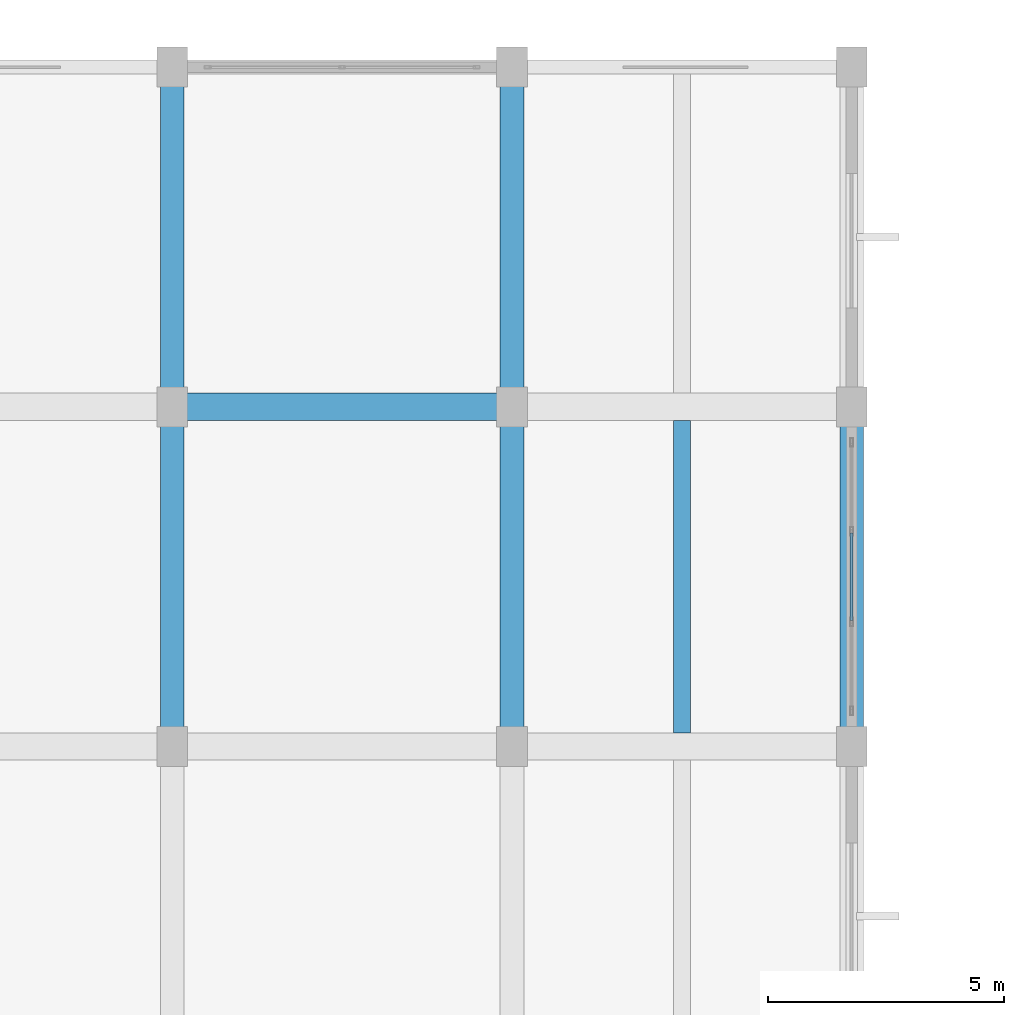
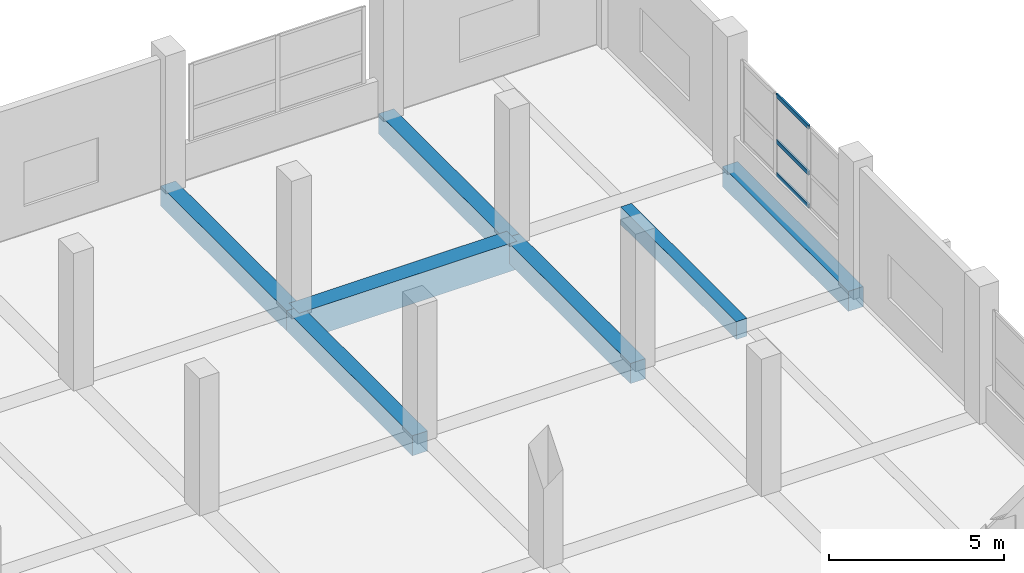
# One storey, part 140 of 181: 7 beams, 3 members, 1 element without a shape of its own.
"""IFC4 building model written with IfcOpenShell, lengths in metres."""

import ifcopenshell
import ifcopenshell.guid

model = None  # the IFC model being written
_history = None  # IfcOwnerHistory: only IFC2X3 demands one
_inside = {}  # id of a spatial element -> (the spatial element, [elements in it])
_under = {}  # id of a project, library or spatial element -> (it, [spatial elements below it])
_declared = {}  # id of a project -> (the project, [libraries it declares])
_typed = {}  # id of a type object -> (the type object, [elements of that type])
_made_of = {}  # id of a material, layer set ... -> (it, [elements and type objects made of it])


def new_model(schema):
    """Start an empty IFC model of exactly this schema.

    Asked for "IFC4X3", IfcOpenShell would pick the latest addendum, in which some entities
    have other attributes; the version numbers below select the first issue.
    IFC2X3 requires an IfcOwnerHistory on every rooted entity: one is made here for all.
    """
    global model, _history
    if schema == "IFC4X3":
        model = ifcopenshell.file(schema_version=(4, 3, 0, 0))
    else:
        model = ifcopenshell.file(schema=schema)
    _inside.clear()
    _under.clear()
    _declared.clear()
    _typed.clear()
    _made_of.clear()
    _history = None
    if model.schema == "IFC2X3":
        org = make("IfcOrganization", Name="unknown")
        user = make(
            "IfcPersonAndOrganization",
            ThePerson=make("IfcPerson", FamilyName="unknown"),
            TheOrganization=org,
        )
        app = make(
            "IfcApplication",
            ApplicationDeveloper=org,
            Version="unknown",
            ApplicationFullName="unknown",
            ApplicationIdentifier="unknown",
        )
        _history = make(
            "IfcOwnerHistory",
            OwningUser=user,
            OwningApplication=app,
            ChangeAction="ADDED",
            CreationDate=0,
        )
    return model


def make(cls, **values):
    """One entity of the class cls with the attributes given. An attribute that is None is left unset."""
    return model.create_entity(
        cls, **{name: value for name, value in values.items() if value is not None}
    )


def rooted(cls, **values):
    """An entity with a GlobalId (a new one), such as an element, a storey or a relation."""
    return make(cls, GlobalId=ifcopenshell.guid.new(), OwnerHistory=_history, **values)


def si_unit(unit_type, name, prefix=None):
    """IfcSIUnit, for example si_unit("LENGTHUNIT", "METRE", prefix="MILLI")."""
    return make("IfcSIUnit", UnitType=unit_type, Prefix=prefix, Name=name)


def assignment(units):
    """IfcUnitAssignment: the units of a project."""
    return None if units is None else make("IfcUnitAssignment", Units=units)


def point(xyz):
    """IfcCartesianPoint."""
    return None if xyz is None else make("IfcCartesianPoint", Coordinates=xyz)


def direction(xyz):
    """IfcDirection."""
    return None if xyz is None else make("IfcDirection", DirectionRatios=xyz)


def frame(location, z_axis=None, x_axis=None):
    """IfcAxis2Placement3D, a coordinate frame: its origin and axes. An axis left out is left unset."""
    return make(
        "IfcAxis2Placement3D",
        Location=point(location),
        Axis=direction(z_axis),
        RefDirection=direction(x_axis),
    )


def frame_2d(location, x_axis=None):
    """IfcAxis2Placement2D, a coordinate frame in the plane: its origin and x axis."""
    return make(
        "IfcAxis2Placement2D", Location=point(location), RefDirection=direction(x_axis)
    )


def origin():
    """The frame at (0, 0, 0) with its axes left unset."""
    return frame((0.0, 0.0, 0.0))


def origin_2d():
    """The frame at (0, 0) in the plane with its x axis left unset."""
    return frame_2d((0.0, 0.0))


def place(relative_to, where):
    """IfcLocalPlacement: puts the frame where relative to a parent placement (None: the world)."""
    return make(
        "IfcLocalPlacement", PlacementRelTo=relative_to, RelativePlacement=where
    )


def context(
    kind, dimensions, precision=None, world=None, true_north=None, identifier=None
):
    """IfcGeometricRepresentationContext, for example the 3D "Model" context."""
    return make(
        "IfcGeometricRepresentationContext",
        ContextIdentifier=identifier,
        ContextType=kind,
        CoordinateSpaceDimension=dimensions,
        Precision=precision,
        WorldCoordinateSystem=world,
        TrueNorth=true_north,
    )


def subcontext(parent, identifier, kind, view, scale=None):
    """IfcGeometricRepresentationSubContext, for example "Body" below "Model"."""
    return make(
        "IfcGeometricRepresentationSubContext",
        ContextIdentifier=identifier,
        ContextType=kind,
        ParentContext=parent,
        TargetScale=scale,
        TargetView=view,
    )


def project(units=None, contexts=None):
    """IfcProject with its units and contexts."""
    return rooted(
        "IfcProject",
        Name="project",
        RepresentationContexts=contexts,
        UnitsInContext=assignment(units),
    )


def spatial(cls, under=None, at=None, **own):
    """A site, building, storey or space (cls), placed at a placement, below another one or the project."""
    s = rooted(cls, ObjectPlacement=at, **own)
    if under is not None:
        _under.setdefault(under.id(), (under, []))[1].append(s)
    return s


def profile(cls, at=None, kind="AREA", **sizes):
    """A parametric profile (cls). Its sizes go by their IFC names, for example OverallWidth=200.0."""
    return make(cls, ProfileType=kind, Position=at, **sizes)


def rectangle(**sizes):
    """IfcRectangleProfileDef."""
    return profile("IfcRectangleProfileDef", **sizes)


def hollow_rectangle(**sizes):
    """IfcRectangleHollowProfileDef."""
    return profile("IfcRectangleHollowProfileDef", **sizes)


def extrude(swept, where, along, depth):
    """IfcExtrudedAreaSolid: the profile swept, set in the frame where, extruded along a direction by depth."""
    return make(
        "IfcExtrudedAreaSolid",
        SweptArea=swept,
        Position=where,
        ExtrudedDirection=direction(along),
        Depth=depth,
    )


def shape(context_of_items, identifier, shape_type, items):
    """IfcShapeRepresentation: the items that make up one representation, for example the "Body"."""
    return make(
        "IfcShapeRepresentation",
        ContextOfItems=context_of_items,
        RepresentationIdentifier=identifier,
        RepresentationType=shape_type,
        Items=items,
    )


def material(Name=None, Category=None):
    """IfcMaterial."""
    return make("IfcMaterial", Name=Name, Category=Category)


def layer(
    of_material, thickness, ventilated=None, Name=None, Category=None, Priority=None
):
    """IfcMaterialLayer: one layer of a wall or slab, of a material (None: an air gap)."""
    return make(
        "IfcMaterialLayer",
        Material=of_material,
        LayerThickness=thickness,
        IsVentilated=ventilated,
        Name=Name,
        Category=Category,
        Priority=Priority,
    )


def layer_set(layers, Name=None):
    """IfcMaterialLayerSet."""
    return make("IfcMaterialLayerSet", MaterialLayers=layers, LayerSetName=Name)


def material_profile(
    of_material, cross_section, Name=None, Category=None, Priority=None
):
    """IfcMaterialProfile: a cross section and its material."""
    return make(
        "IfcMaterialProfile",
        Name=Name,
        Material=of_material,
        Profile=cross_section,
        Priority=Priority,
        Category=Category,
    )


def profile_set(profiles, Name=None, composite=None):
    """IfcMaterialProfileSet."""
    return make(
        "IfcMaterialProfileSet",
        Name=Name,
        MaterialProfiles=profiles,
        CompositeProfile=composite,
    )


def made_of(thing, what):
    """Note that an element or type object is made of a material, layer set ...; save() writes the relation."""
    if what is not None:
        _made_of.setdefault(what.id(), (what, []))[1].append(thing)
    return thing


def type_object(cls, material=None, **own):
    """A type object (cls), such as IfcWallType, which elements share."""
    return made_of(rooted(cls, **own), material)


def element(
    cls,
    number,
    at=None,
    inside=None,
    cuts=None,
    type_object=None,
    material=None,
    context=None,
    identifier="Body",
    shape_type=None,
    held_by="IfcProductDefinitionShape",
    body=None,
    shapes=None,
    **own,
):
    """One element of the class cls, such as IfcWall. Its Tag is "e" and its number.

    at: its placement. inside: the storey or other place that contains it. cuts: it is an
    opening in that element (IfcRelVoidsElement). A single representation is given by context,
    identifier, shape_type and body (its items); several are given by shapes. held_by: the class
    of the entity that holds the representations. save() writes the other relations.
    """
    e = rooted(cls, Tag="e%d" % number, ObjectPlacement=at, **own)
    if body is not None:
        shapes = [shape(context, identifier, shape_type, body)]
    if shapes is not None:
        e.Representation = make(held_by, Representations=shapes)
    if inside is not None:
        _inside.setdefault(inside.id(), (inside, []))[1].append(e)
    if cuts is not None:
        rooted(
            "IfcRelVoidsElement", RelatingBuildingElement=cuts, RelatedOpeningElement=e
        )
    if type_object is not None:
        _typed.setdefault(type_object.id(), (type_object, []))[1].append(e)
    return made_of(e, material)


def aggregate(whole, parts):
    """IfcRelAggregates: a whole, such as a stair, and the parts it consists of."""
    return rooted("IfcRelAggregates", RelatingObject=whole, RelatedObjects=parts)


def save(model, path):
    """Write the relations noted so far, then the file.

    IfcRelAggregates (storeys below a building ...), IfcRelContainedInSpatialStructure (elements
    in a storey), IfcRelDefinesByType, IfcRelAssociatesMaterial and IfcRelDeclares: one each for
    every whole, place, type object, material and project.
    """
    for whole, parts in _under.values():
        aggregate(whole, parts)
    for where, things in _inside.values():
        rooted(
            "IfcRelContainedInSpatialStructure",
            RelatedElements=things,
            RelatingStructure=where,
        )
    for kind, things in _typed.values():
        rooted("IfcRelDefinesByType", RelatedObjects=things, RelatingType=kind)
    for what, things in _made_of.values():
        rooted("IfcRelAssociatesMaterial", RelatedObjects=things, RelatingMaterial=what)
    for by, libraries in _declared.values():
        rooted("IfcRelDeclares", RelatingContext=by, RelatedDefinitions=libraries)
    model.write(path)


model = new_model("IFC4")

# Units and contexts
model_context = context("Model", 3, precision=1e-05, world=origin(), true_north=direction((0.0, 1.0)))
body_context = subcontext(model_context, "Body", "Model", "MODEL_VIEW")
ifc_project = project(units=[si_unit("LENGTHUNIT", "METRE"), si_unit("AREAUNIT", "SQUARE_METRE"), si_unit("VOLUMEUNIT", "CUBIC_METRE"), si_unit("PLANEANGLEUNIT", "RADIAN"), si_unit("MASSUNIT", "GRAM", prefix="KILO")], contexts=[model_context])

# Site, building, storey
site_placement = place(None, origin())
site = spatial("IfcSite", under=ifc_project, at=site_placement, CompositionType="ELEMENT")
building_placement = place(site_placement, origin())
building = spatial("IfcBuilding", under=site, at=building_placement, Name="Seraya Terrace Polytechnic", CompositionType="ELEMENT")
storey_placement = place(building_placement, frame((0.0, 0.0, 4.800048828125)))
storey = spatial("IfcBuildingStorey", under=building, at=storey_placement, Name="L01", CompositionType="ELEMENT", Elevation=4.800048828125)

# Beams
ifc_material_1 = material(Name="Concrete C40/50", Category="concrete")
ifc_material_profile_1 = material_profile(ifc_material_1, rectangle(XDim=0.580078125, YDim=0.97998046875, at=origin_2d()), Name="RC 580x980")
ifc_profile_set_1 = profile_set([ifc_material_profile_1], Name="Concrete C40/50")
beam_type_1 = type_object("IfcBeamType", Name="BM-02", PredefinedType="BEAM", material=ifc_profile_set_1)
beam_1_placement = place(storey_placement, frame((144.0, 108.0, -0.489990234375), z_axis=(1.0, 0.0, 0.0), x_axis=(0.0, 1.0, 0.0)))
element("IfcBeam", 1, at=beam_1_placement, inside=storey, type_object=beam_type_1, Name="Beam BM-02 L01 X (144.0..151.2, 108.0)", PredefinedType="BEAM", context=body_context, shape_type="SweptSolid", body=[
    extrude(rectangle(XDim=0.580078125, YDim=0.97998046875, at=origin_2d()), origin(), (0.0, 0.0, 1.0), 7.199951171875),
])
ifc_material_profile_2 = material_profile(ifc_material_1, rectangle(XDim=0.5, YDim=0.699951171875, at=origin_2d()), Name="RC 500x700")
ifc_profile_set_2 = profile_set([ifc_material_profile_2], Name="Concrete C40/50")
beam_type_2 = type_object("IfcBeamType", Name="BM-07", PredefinedType="BEAM", material=ifc_profile_set_2)
for number, where, z_axis, x_axis, name in (
    (2, (144.0, 100.800048828125, -0.35009765625), (0.0, 1.0, 0.0), (-1.0, 0.0, 0.0), "Beam BM-07 L01 Y (144.0, 100.8..108.0)"),
    (3, (144.0, 108.0, -0.35009765625), (0.0, 1.0, 0.0), (-1.0, 0.0, 0.0), "Beam BM-07 L01 Y (144.0, 108.0..115.2)"),
    (4, (151.199951171875, 100.800048828125, -0.35009765625), (0.0, 1.0, 0.0), (-1.0, 0.0, 0.0), "Beam BM-07 L01 Y (151.2, 100.8..108.0)"),
    (5, (151.199951171875, 108.0, -0.35009765625), (0.0, 1.0, 0.0), (-1.0, 0.0, 0.0), "Beam BM-07 L01 Y (151.2, 108.0..115.2)"),
    (6, (158.39990234375, 100.800048828125, -0.35009765625), (0.0, 1.0, 0.0), (-1.0, 0.0, 0.0), "Beam BM-07 L01 Y (158.4, 100.8..108.0)"),
):
    element("IfcBeam", number, at=place(storey_placement, frame(where, z_axis=z_axis, x_axis=x_axis)), inside=storey, type_object=beam_type_2, Name=name, PredefinedType="BEAM", context=body_context, shape_type="SweptSolid", body=[
        extrude(rectangle(XDim=0.5, YDim=0.699951171875, at=origin_2d()), origin(), (0.0, 0.0, 1.0), 7.199951171875),
    ])

# Curtain wall, members
ifc_material_2 = material(Name="Anodised aluminium EN AW-6063 T6", Category="aluminium")
ifc_layer = layer(ifc_material_2, 0.179931640625, Name="CW-19")
ifc_layer_set = layer_set([ifc_layer], Name="Anodised aluminium EN AW-6063 T6")
curtain_wall_type = type_object("IfcCurtainWallType", Name="CW-19", PredefinedType="NOTDEFINED", material=ifc_layer_set)
curtain_wall_placement = place(storey_placement, origin())
curtain_wall = element("IfcCurtainWall", 7, at=curtain_wall_placement, inside=storey, type_object=curtain_wall_type, Name="Unitised curtain wall CW-19 (CW-L01-019)", PredefinedType="NOTDEFINED")
ifc_material_profile_3 = material_profile(ifc_material_2, hollow_rectangle(XDim=0.06005859375, YDim=0.139892578125, WallThickness=0.00341796875, at=origin_2d()), Name="RHS 140x60x3.5")
ifc_profile_set_3 = profile_set([ifc_material_profile_3], Name="Anodised aluminium EN AW-6063 T6")
member_type = type_object("IfcMemberType", Name="CWT-01", PredefinedType="USERDEFINED", material=ifc_profile_set_3)
member_1_placement = place(storey_placement, frame((158.39990234375, 105.327392578125, 1.27001953125), z_axis=(0.0, -1.0, 0.0), x_axis=(1.0, 0.0, 0.0)))
member_1 = element("IfcMember", 8, at=member_1_placement, type_object=member_type, Name="CW-19 transom 2.1", ObjectType="TRANSOM", PredefinedType="USERDEFINED", context=body_context, shape_type="SweptSolid", body=[
    extrude(hollow_rectangle(XDim=0.06005859375, YDim=0.139892578125, WallThickness=0.00341796875, at=origin_2d()), origin(), (0.0, 0.0, 1.0), 1.85498046875),
])
member_2_placement = place(storey_placement, frame((158.39990234375, 105.327392578125, 2.42431640625), z_axis=(0.0, -1.0, 0.0), x_axis=(1.0, 0.0, 0.0)))
member_2 = element("IfcMember", 9, at=member_2_placement, type_object=member_type, Name="CW-19 transom 2.2", ObjectType="TRANSOM", PredefinedType="USERDEFINED", context=body_context, shape_type="SweptSolid", body=[
    extrude(hollow_rectangle(XDim=0.06005859375, YDim=0.139892578125, WallThickness=0.00341796875, at=origin_2d()), origin(), (0.0, 0.0, 1.0), 1.85498046875),
])
member_3_placement = place(storey_placement, frame((158.39990234375, 105.327392578125, 4.030029296875), z_axis=(0.0, -1.0, 0.0), x_axis=(1.0, 0.0, 0.0)))
member_3 = element("IfcMember", 10, at=member_3_placement, type_object=member_type, Name="CW-19 transom 2.3", ObjectType="TRANSOM", PredefinedType="USERDEFINED", context=body_context, shape_type="SweptSolid", body=[
    extrude(hollow_rectangle(XDim=0.06005859375, YDim=0.139892578125, WallThickness=0.00341796875, at=origin_2d()), origin(), (0.0, 0.0, 1.0), 1.85498046875),
])
aggregate(curtain_wall, [member_1, member_2, member_3])

# Beam
ifc_material_profile_4 = material_profile(ifc_material_1, rectangle(XDim=0.360107421875, YDim=0.6201171875, at=origin_2d()), Name="RC 360x620")
ifc_profile_set_4 = profile_set([ifc_material_profile_4], Name="Concrete C40/50")
beam_type_3 = type_object("IfcBeamType", Name="JS-01", PredefinedType="JOIST", material=ifc_profile_set_4)
beam_2_placement = place(storey_placement, frame((154.800048828125, 101.090087890625, -0.31005859375), z_axis=(0.0, 1.0, 0.0), x_axis=(-1.0, 0.0, 0.0)))
element("IfcBeam", 11, at=beam_2_placement, inside=storey, type_object=beam_type_3, Name="Secondary joist JS-01 L01", PredefinedType="JOIST", context=body_context, shape_type="SweptSolid", body=[
    extrude(rectangle(XDim=0.360107421875, YDim=0.6201171875, at=origin_2d()), origin(), (0.0, 0.0, 1.0), 6.619873046875),
])

save(model, "model.ifc")
